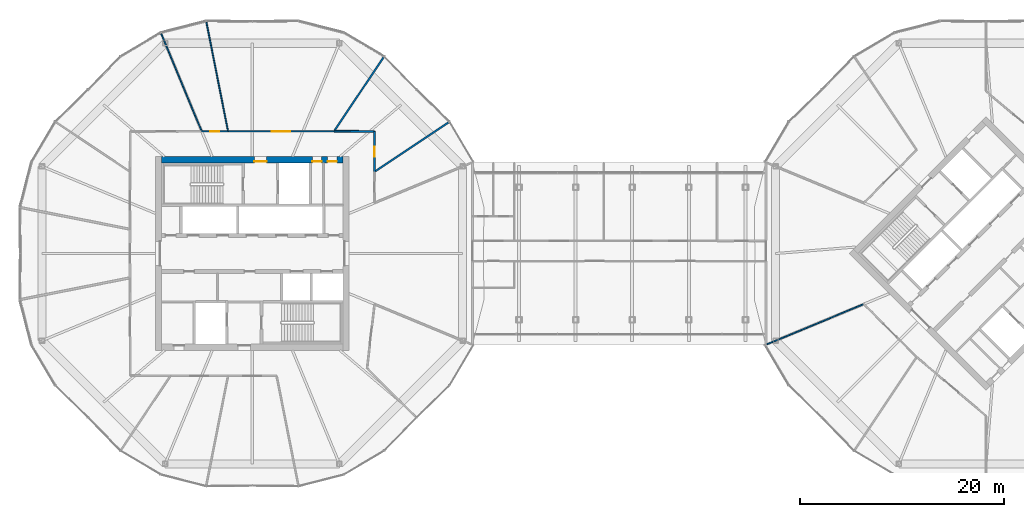
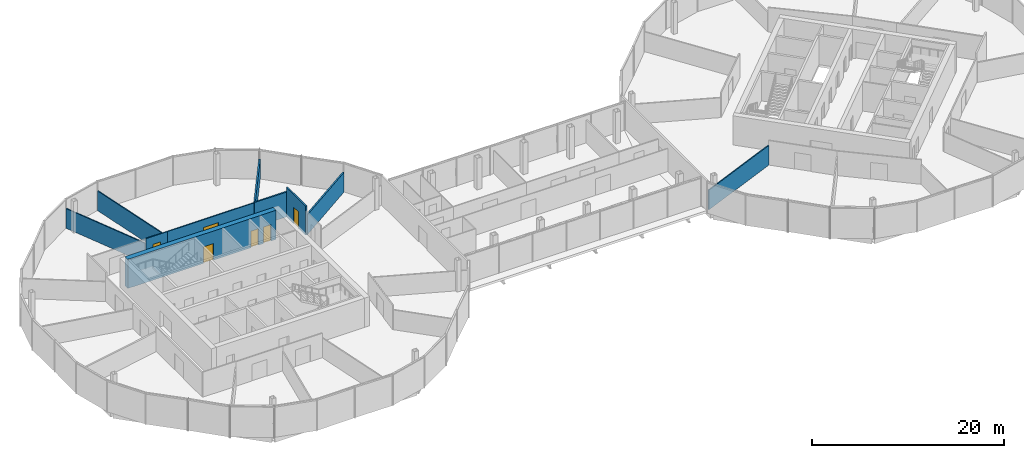
# One storey, part 21 of 25: 10 walls, 6 doors, 6 openings.
"""IFC4 building model written with IfcOpenShell, lengths in metres."""

from ifc_helpers import new_model, si_unit, direction, frame, frame_2d, origin, place, context, subcontext, project, spatial, rectangle, extrude, material, layer, layer_set, type_object, element, fill, save


model = new_model("IFC4")

# Units and contexts
model_context = context("Model", 3, precision=1e-05, world=origin(), true_north=direction((0.0, 1.0)))
body_context = subcontext(model_context, "Body", "Model", "MODEL_VIEW")
ifc_project = project(units=[si_unit("LENGTHUNIT", "METRE"), si_unit("AREAUNIT", "SQUARE_METRE"), si_unit("VOLUMEUNIT", "CUBIC_METRE"), si_unit("PLANEANGLEUNIT", "RADIAN"), si_unit("MASSUNIT", "GRAM", prefix="KILO")], contexts=[model_context])

# Site, building, storey
site_placement = place(None, origin())
site = spatial("IfcSite", under=ifc_project, at=site_placement, CompositionType="ELEMENT")
building_placement = place(site_placement, origin())
building = spatial("IfcBuilding", under=site, at=building_placement, Name="Ogive Gate Towers", CompositionType="ELEMENT")
storey_placement = place(building_placement, frame((0.0, 0.0, 140.800048828125)))
storey = spatial("IfcBuildingStorey", under=building, at=storey_placement, Name="L33", CompositionType="ELEMENT", Elevation=140.800048828125)

# Walls
ifc_material_1 = material(Name="Gypsum board acoustic partition")
ifc_layer_1 = layer(ifc_material_1, 0.175048828125)
ifc_layer_set_1 = layer_set([ifc_layer_1], Name="Acoustic partition 175")
wall_type_1 = type_object("IfcWallType", Name="Acoustic partition 175", PredefinedType="PARTITIONING", material=ifc_layer_set_1)
for number, where, z_axis, x_axis, name in (
    (1, (-16.731201171875, 12.88427734375, 0.0), (0.0, 0.0, 1.0), (-0.831286293852, -0.555844490532, 0.0), "Partition T1-L33-002"),
    (2, (-23.11572265625, 19.268798828125, 0.0), (0.0, 0.0, 1.0), (-0.555844490532, -0.831286293852, 0.0), "Partition T1-L33-003"),
):
    element("IfcWall", number, at=place(storey_placement, frame(where, z_axis=z_axis, x_axis=x_axis)), inside=storey, type_object=wall_type_1, Name=name, PredefinedType="PARTITIONING", context=body_context, shape_type="SweptSolid", body=[
        extrude(rectangle(XDim=8.66162109375, YDim=0.175048828125, at=frame_2d((4.330810546875, 0.0))), origin(), (0.0, 0.0, 1.0), 2.5),
    ])

# Wall, opening, door
wall_1_placement = place(storey_placement, frame((-24.004150390625, 8.021240234375, 0.0), z_axis=(0.0, 0.0, 1.0), x_axis=(-0.004008601774, 0.999991965524, 0.0)))
wall_1 = element("IfcWall", 3, at=wall_1_placement, inside=storey, type_object=wall_type_1, Name="Partition T1-L33-015", PredefinedType="PARTITIONING", context=body_context, shape_type="SweptSolid", body=[
    extrude(rectangle(XDim=3.958740234375, YDim=0.175048828125, at=frame_2d((1.9794921875, 0.0))), origin(), (0.0, 0.0, 1.0), 3.699951171875),
])
opening_1_placement = place(wall_1_placement, frame((1.47900390625, 0.0, 0.0)))
opening_1 = element("IfcOpeningElement", 4, at=opening_1_placement, cuts=wall_1, Name="Opening T1-L33-D02", PredefinedType="OPENING", context=body_context, shape_type="SweptSolid", body=[
    extrude(rectangle(XDim=1.0, YDim=2.10009765625, at=frame_2d((0.5, 1.050048828125))), frame((0.0, 0.09765625, 0.0), z_axis=(0.0, -1.0, 0.0), x_axis=(1.0, 0.0, 0.0)), (0.0, 0.0, 1.0), 0.195068359375),
])
ifc_material_2 = material(Name="Timber door", Category="wood")
door_type_1 = type_object("IfcDoorType", Name="Door 1000", OperationType="NOTDEFINED", PredefinedType="DOOR", material=ifc_material_2)
door_1_placement = place(opening_1_placement, origin())
door_1 = element("IfcDoor", 5, at=door_1_placement, inside=storey, type_object=door_type_1, Name="Door T1-L33-D02", OperationType="SINGLE_SWING_LEFT", OverallHeight=2.10009765625, OverallWidth=1.0, PredefinedType="DOOR", context=body_context, shape_type="SweptSolid", body=[
    extrude(rectangle(XDim=1.0, YDim=2.10009765625, at=frame_2d((0.5, 1.050048828125))), frame((0.0, 0.02490234375, 0.0), z_axis=(0.0, -1.0, 0.0), x_axis=(1.0, 0.0, 0.0)), (0.0, 0.0, 1.0), 0.050048828125),
])
fill(opening_1, door_1)

# Wall
wall_2_placement = place(storey_placement, frame((-24.02001953125, 11.97998046875, 0.0), z_axis=(0.0, 0.0, 1.0), x_axis=(-0.999991965524, 0.004008601774, 0.0)))
element("IfcWall", 6, at=wall_2_placement, inside=storey, type_object=wall_type_1, Name="Partition T1-L33-016", PredefinedType="PARTITIONING", context=body_context, shape_type="SweptSolid", body=[
    extrude(rectangle(XDim=3.958740234375, YDim=0.175048828125, at=frame_2d((1.9794921875, 0.0))), origin(), (0.0, 0.0, 1.0), 3.14990234375),
])

# Wall, openings, doors
ifc_material_3 = material(Name="Concrete C60/75", Category="concrete")
ifc_layer_2 = layer(ifc_material_3, 0.60009765625)
ifc_layer_set_2 = layer_set([ifc_layer_2], Name="Core wall 600 mm")
wall_type_2 = type_object("IfcWallType", Name="Core wall 600 mm", PredefinedType="SHEAR", material=ifc_layer_set_2)
wall_3_placement = place(storey_placement, frame((-44.89990234375, 9.199951171875, 0.0), z_axis=(0.0, 0.0, 1.0), x_axis=(1.0, 0.0, 0.0)))
wall_3 = element("IfcWall", 7, at=wall_3_placement, inside=storey, type_object=wall_type_2, Name="T1 L33 Core wall 600 mm", PredefinedType="SHEAR", context=body_context, shape_type="SweptSolid", body=[
    extrude(rectangle(XDim=17.7998046875, YDim=0.60009765625, at=frame_2d((8.89990234375, 0.0))), origin(), (0.0, 0.0, 1.0), 3.699951171875),
])
opening_2_placement = place(wall_3_placement, frame((9.10009765625, 0.0, 0.0)))
opening_2 = element("IfcOpeningElement", 8, at=opening_2_placement, cuts=wall_3, Name="Opening KD-T1-L33-18", PredefinedType="OPENING", context=body_context, shape_type="SweptSolid", body=[
    extrude(rectangle(XDim=1.199951171875, YDim=2.10009765625, at=frame_2d((0.60009765625, 1.050048828125))), frame((0.0, 0.31005859375, 0.0), z_axis=(0.0, -1.0, 0.0), x_axis=(1.0, 0.0, 0.0)), (0.0, 0.0, 1.0), 0.6201171875),
])
opening_3_placement = place(wall_3_placement, frame((14.800048828125, 0.0, 0.0)))
opening_3 = element("IfcOpeningElement", 9, at=opening_3_placement, cuts=wall_3, Name="Opening KD-T1-L33-20", PredefinedType="OPENING", context=body_context, shape_type="SweptSolid", body=[
    extrude(rectangle(XDim=0.89990234375, YDim=2.10009765625, at=frame_2d((0.449951171875, 1.050048828125))), frame((0.0, 0.31005859375, 0.0), z_axis=(0.0, -1.0, 0.0), x_axis=(1.0, 0.0, 0.0)), (0.0, 0.0, 1.0), 0.6201171875),
])
opening_4_placement = place(wall_3_placement, frame((16.300048828125, 0.0, 0.0)))
opening_4 = element("IfcOpeningElement", 10, at=opening_4_placement, cuts=wall_3, Name="Opening KD-T1-L33-21", PredefinedType="OPENING", context=body_context, shape_type="SweptSolid", body=[
    extrude(rectangle(XDim=0.89990234375, YDim=2.10009765625, at=frame_2d((0.449951171875, 1.050048828125))), frame((0.0, 0.31005859375, 0.0), z_axis=(0.0, -1.0, 0.0), x_axis=(1.0, 0.0, 0.0)), (0.0, 0.0, 1.0), 0.6201171875),
])
door_type_2 = type_object("IfcDoorType", Name="Core WC door 900 x 2100", OperationType="NOTDEFINED", PredefinedType="DOOR", material=ifc_material_2)
door_2_placement = place(opening_3_placement, origin())
door_2 = element("IfcDoor", 11, at=door_2_placement, inside=storey, type_object=door_type_2, Name="T1 L33 Core door", OperationType="SINGLE_SWING_LEFT", OverallHeight=2.10009765625, OverallWidth=0.89990234375, PredefinedType="DOOR", context=body_context, shape_type="SweptSolid", body=[
    extrude(rectangle(XDim=0.89990234375, YDim=2.10009765625, at=frame_2d((0.449951171875, 1.050048828125))), frame((0.0, -0.125, 0.0), z_axis=(0.0, -1.0, 0.0), x_axis=(1.0, 0.0, 0.0)), (0.0, 0.0, 1.0), 0.050048828125),
])
fill(opening_3, door_2)
door_3_placement = place(opening_4_placement, origin())
door_3 = element("IfcDoor", 12, at=door_3_placement, inside=storey, type_object=door_type_2, Name="T1 L33 Core door", OperationType="SINGLE_SWING_RIGHT", OverallHeight=2.10009765625, OverallWidth=0.89990234375, PredefinedType="DOOR", context=body_context, shape_type="SweptSolid", body=[
    extrude(rectangle(XDim=0.89990234375, YDim=2.10009765625, at=frame_2d((0.449951171875, 1.050048828125))), frame((0.0, -0.125, 0.0), z_axis=(0.0, -1.0, 0.0), x_axis=(1.0, 0.0, 0.0)), (0.0, 0.0, 1.0), 0.050048828125),
])
fill(opening_4, door_3)
ifc_material_4 = material(Name="Steel fire door", Category="steel")
door_type_3 = type_object("IfcDoorType", Name="Core door FD60S 1200 x 2100", OperationType="NOTDEFINED", PredefinedType="DOOR", material=ifc_material_4)
door_4_placement = place(opening_2_placement, origin())
door_4 = element("IfcDoor", 13, at=door_4_placement, inside=storey, type_object=door_type_3, Name="T1 L33 Fire-fighting lobby door", OperationType="SINGLE_SWING_LEFT", OverallHeight=2.10009765625, OverallWidth=1.199951171875, PredefinedType="DOOR", context=body_context, shape_type="SweptSolid", body=[
    extrude(rectangle(XDim=1.199951171875, YDim=2.10009765625, at=frame_2d((0.60009765625, 1.050048828125))), frame((0.0, -0.125, 0.0), z_axis=(0.0, -1.0, 0.0), x_axis=(1.0, 0.0, 0.0)), (0.0, 0.0, 1.0), 0.050048828125),
])
fill(opening_2, door_4)

# Walls
ifc_material_5 = material(Name="Gypsum board partition")
ifc_layer_3 = layer(ifc_material_5, 0.125)
ifc_layer_set_3 = layer_set([ifc_layer_3], Name="Partition 125")
wall_type_3 = type_object("IfcWallType", Name="Partition 125", PredefinedType="PARTITIONING", material=ifc_layer_set_3)
wall_4_placement = place(storey_placement, frame((-40.514404296875, 22.735595703125, 0.0), z_axis=(0.0, 0.0, 1.0), x_axis=(0.194748811052, -0.980853149352, 0.0)))
element("IfcWall", 14, at=wall_4_placement, inside=storey, type_object=wall_type_3, Name="Partition T1-L33-004", PredefinedType="PARTITIONING", context=body_context, shape_type="SweptSolid", body=[
    extrude(rectangle(XDim=10.886474609375, YDim=0.125, at=frame_2d((5.443359375, 0.0))), origin(), (0.0, 0.0, 1.0), 2.5),
])
wall_5_placement = place(storey_placement, frame((-44.947021484375, 21.600341796875, 0.0), z_axis=(0.0, 0.0, 1.0), x_axis=(0.382675817759, -0.923882686548, 0.0)))
element("IfcWall", 15, at=wall_5_placement, inside=storey, type_object=wall_type_3, Name="Partition T1-L33-005", PredefinedType="PARTITIONING", context=body_context, shape_type="SweptSolid", body=[
    extrude(rectangle(XDim=10.336669921875, YDim=0.125, at=frame_2d((5.16845703125, 0.0))), origin(), (0.0, 0.0, 1.0), 2.5),
])

# Wall, opening, door
wall_6_placement = place(storey_placement, frame((-27.978759765625, 11.995849609375, 0.0), z_axis=(0.0, 0.0, 1.0), x_axis=(-0.999999998899, 4.6935136e-05, 0.0)))
wall_6 = element("IfcWall", 16, at=wall_6_placement, inside=storey, type_object=wall_type_3, Name="Partition T1-L33-017", PredefinedType="PARTITIONING", context=body_context, shape_type="SweptSolid", body=[
    extrude(rectangle(XDim=10.4033203125, YDim=0.125, at=frame_2d((5.20166015625, 0.0))), origin(), (0.0, 0.0, 1.0), 3.099853515625),
])
opening_5_placement = place(wall_6_placement, frame((4.302001953125, 0.0, 0.0)))
opening_5 = element("IfcOpeningElement", 17, at=opening_5_placement, cuts=wall_6, Name="Opening T1-L33-D03", PredefinedType="OPENING", context=body_context, shape_type="SweptSolid", body=[
    extrude(rectangle(XDim=1.800048828125, YDim=2.10009765625, at=frame_2d((0.89990234375, 1.050048828125))), frame((0.0, 0.072509765625, 0.0), z_axis=(0.0, -1.0, 0.0), x_axis=(1.0, 0.0, 0.0)), (0.0, 0.0, 1.0), 0.14501953125),
])
door_type_4 = type_object("IfcDoorType", Name="Door pair 1800", OperationType="NOTDEFINED", PredefinedType="DOOR", material=ifc_material_2)
door_5_placement = place(opening_5_placement, origin())
door_5 = element("IfcDoor", 18, at=door_5_placement, inside=storey, type_object=door_type_4, Name="Door T1-L33-D03", OperationType="DOUBLE_DOOR_DOUBLE_SWING", OverallHeight=2.10009765625, OverallWidth=1.800048828125, PredefinedType="DOOR", context=body_context, shape_type="SweptSolid", body=[
    extrude(rectangle(XDim=1.800048828125, YDim=2.10009765625, at=frame_2d((0.89990234375, 1.050048828125))), frame((0.0, 0.02490234375, 0.0), z_axis=(0.0, -1.0, 0.0), x_axis=(1.0, 0.0, 0.0)), (0.0, 0.0, 1.0), 0.050048828125),
])
fill(opening_5, door_5)

wall_7_placement = place(storey_placement, frame((-38.382080078125, 11.996337890625, 0.0), z_axis=(0.0, 0.0, 1.0), x_axis=(-0.999999126157, -0.001322000733, 0.0)))
wall_7 = element("IfcWall", 19, at=wall_7_placement, inside=storey, type_object=wall_type_3, Name="Partition T1-L33-018", PredefinedType="PARTITIONING", context=body_context, shape_type="SweptSolid", body=[
    extrude(rectangle(XDim=2.58544921875, YDim=0.125, at=frame_2d((1.292724609375, 0.0))), origin(), (0.0, 0.0, 1.0), 3.099853515625),
])
opening_6_placement = place(wall_7_placement, frame((0.843017578125, 0.0, 0.0)))
opening_6 = element("IfcOpeningElement", 20, at=opening_6_placement, cuts=wall_7, Name="Opening T1-L33-D04", PredefinedType="OPENING", context=body_context, shape_type="SweptSolid", body=[
    extrude(rectangle(XDim=0.89990234375, YDim=2.10009765625, at=frame_2d((0.449951171875, 1.050048828125))), frame((0.0, 0.072509765625, 0.0), z_axis=(0.0, -1.0, 0.0), x_axis=(1.0, 0.0, 0.0)), (0.0, 0.0, 1.0), 0.14501953125),
])
door_type_5 = type_object("IfcDoorType", Name="Door 900", OperationType="NOTDEFINED", PredefinedType="DOOR", material=ifc_material_2)
door_6_placement = place(opening_6_placement, origin())
door_6 = element("IfcDoor", 21, at=door_6_placement, inside=storey, type_object=door_type_5, Name="Door T1-L33-D04", OperationType="SINGLE_SWING_RIGHT", OverallHeight=2.10009765625, OverallWidth=0.89990234375, PredefinedType="DOOR", context=body_context, shape_type="SweptSolid", body=[
    extrude(rectangle(XDim=0.89990234375, YDim=2.10009765625, at=frame_2d((0.449951171875, 1.050048828125))), frame((0.0, 0.02490234375, 0.0), z_axis=(0.0, -1.0, 0.0), x_axis=(1.0, 0.0, 0.0)), (0.0, 0.0, 1.0), 0.050048828125),
])
fill(opening_6, door_6)

# Wall
wall_8_placement = place(storey_placement, frame((14.499755859375, -8.90576171875, 0.0), z_axis=(0.0, 0.0, 1.0), x_axis=(0.923875736147, 0.382692597469, 0.0)))
element("IfcWall", 22, at=wall_8_placement, inside=storey, type_object=wall_type_3, Name="Partition T2-L33-006", PredefinedType="PARTITIONING", context=body_context, shape_type="SweptSolid", body=[
    extrude(rectangle(XDim=10.228271484375, YDim=0.125, at=frame_2d((5.1142578125, 0.0))), origin(), (0.0, 0.0, 1.0), 2.5),
])

save(model, "model.ifc")
